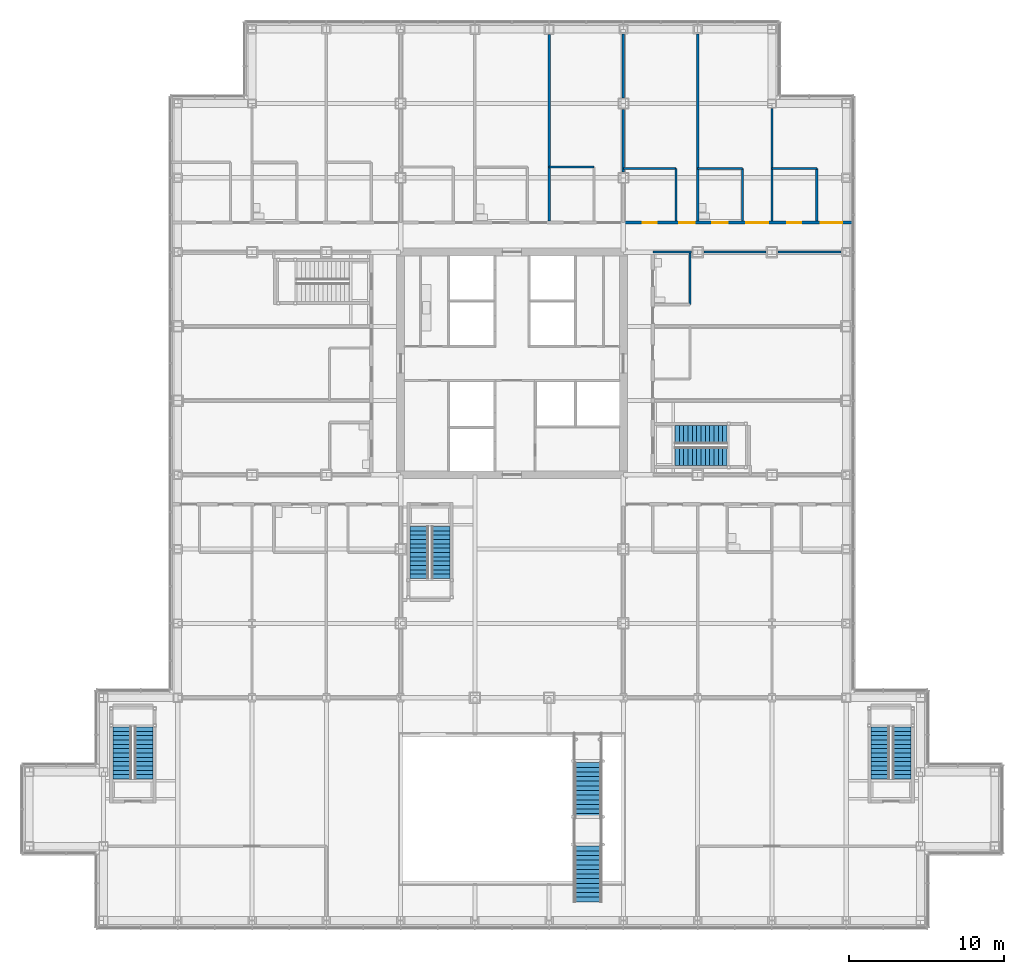
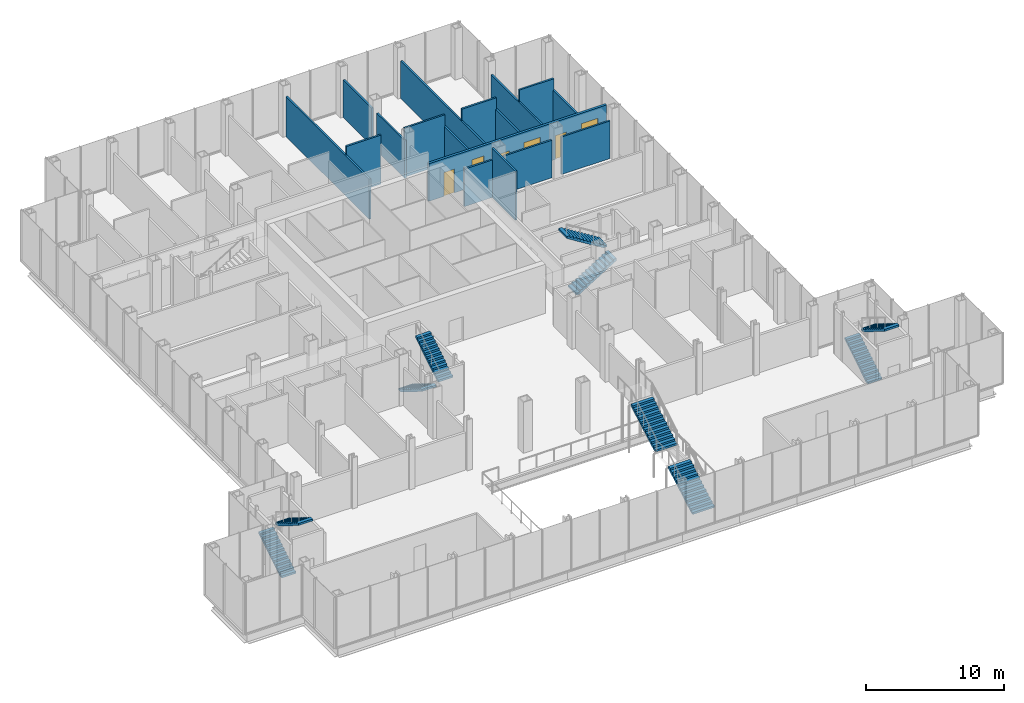
# One storey, part 23 of 28: 17 walls, 10 stair flights, 6 doors, 6 openings, 5 elements without a shape of their own.
"""IFC4 building model written with IfcOpenShell, lengths in metres."""

import ifcopenshell
import ifcopenshell.guid

model = None  # the IFC model being written
_history = None  # IfcOwnerHistory: only IFC2X3 demands one
_inside = {}  # id of a spatial element -> (the spatial element, [elements in it])
_under = {}  # id of a project, library or spatial element -> (it, [spatial elements below it])
_declared = {}  # id of a project -> (the project, [libraries it declares])
_typed = {}  # id of a type object -> (the type object, [elements of that type])
_made_of = {}  # id of a material, layer set ... -> (it, [elements and type objects made of it])


def new_model(schema):
    """Start an empty IFC model of exactly this schema.

    Asked for "IFC4X3", IfcOpenShell would pick the latest addendum, in which some entities
    have other attributes; the version numbers below select the first issue.
    IFC2X3 requires an IfcOwnerHistory on every rooted entity: one is made here for all.
    """
    global model, _history
    if schema == "IFC4X3":
        model = ifcopenshell.file(schema_version=(4, 3, 0, 0))
    else:
        model = ifcopenshell.file(schema=schema)
    _inside.clear()
    _under.clear()
    _declared.clear()
    _typed.clear()
    _made_of.clear()
    _history = None
    if model.schema == "IFC2X3":
        org = make("IfcOrganization", Name="unknown")
        user = make(
            "IfcPersonAndOrganization",
            ThePerson=make("IfcPerson", FamilyName="unknown"),
            TheOrganization=org,
        )
        app = make(
            "IfcApplication",
            ApplicationDeveloper=org,
            Version="unknown",
            ApplicationFullName="unknown",
            ApplicationIdentifier="unknown",
        )
        _history = make(
            "IfcOwnerHistory",
            OwningUser=user,
            OwningApplication=app,
            ChangeAction="ADDED",
            CreationDate=0,
        )
    return model


def make(cls, **values):
    """One entity of the class cls with the attributes given. An attribute that is None is left unset."""
    return model.create_entity(
        cls, **{name: value for name, value in values.items() if value is not None}
    )


def rooted(cls, **values):
    """An entity with a GlobalId (a new one), such as an element, a storey or a relation."""
    return make(cls, GlobalId=ifcopenshell.guid.new(), OwnerHistory=_history, **values)


def si_unit(unit_type, name, prefix=None):
    """IfcSIUnit, for example si_unit("LENGTHUNIT", "METRE", prefix="MILLI")."""
    return make("IfcSIUnit", UnitType=unit_type, Prefix=prefix, Name=name)


def assignment(units):
    """IfcUnitAssignment: the units of a project."""
    return None if units is None else make("IfcUnitAssignment", Units=units)


def point(xyz):
    """IfcCartesianPoint."""
    return None if xyz is None else make("IfcCartesianPoint", Coordinates=xyz)


def direction(xyz):
    """IfcDirection."""
    return None if xyz is None else make("IfcDirection", DirectionRatios=xyz)


def frame(location, z_axis=None, x_axis=None):
    """IfcAxis2Placement3D, a coordinate frame: its origin and axes. An axis left out is left unset."""
    return make(
        "IfcAxis2Placement3D",
        Location=point(location),
        Axis=direction(z_axis),
        RefDirection=direction(x_axis),
    )


def frame_2d(location, x_axis=None):
    """IfcAxis2Placement2D, a coordinate frame in the plane: its origin and x axis."""
    return make(
        "IfcAxis2Placement2D", Location=point(location), RefDirection=direction(x_axis)
    )


def origin():
    """The frame at (0, 0, 0) with its axes left unset."""
    return frame((0.0, 0.0, 0.0))


def place(relative_to, where):
    """IfcLocalPlacement: puts the frame where relative to a parent placement (None: the world)."""
    return make(
        "IfcLocalPlacement", PlacementRelTo=relative_to, RelativePlacement=where
    )


def context(
    kind, dimensions, precision=None, world=None, true_north=None, identifier=None
):
    """IfcGeometricRepresentationContext, for example the 3D "Model" context."""
    return make(
        "IfcGeometricRepresentationContext",
        ContextIdentifier=identifier,
        ContextType=kind,
        CoordinateSpaceDimension=dimensions,
        Precision=precision,
        WorldCoordinateSystem=world,
        TrueNorth=true_north,
    )


def subcontext(parent, identifier, kind, view, scale=None):
    """IfcGeometricRepresentationSubContext, for example "Body" below "Model"."""
    return make(
        "IfcGeometricRepresentationSubContext",
        ContextIdentifier=identifier,
        ContextType=kind,
        ParentContext=parent,
        TargetScale=scale,
        TargetView=view,
    )


def project(units=None, contexts=None):
    """IfcProject with its units and contexts."""
    return rooted(
        "IfcProject",
        Name="project",
        RepresentationContexts=contexts,
        UnitsInContext=assignment(units),
    )


def spatial(cls, under=None, at=None, **own):
    """A site, building, storey or space (cls), placed at a placement, below another one or the project."""
    s = rooted(cls, ObjectPlacement=at, **own)
    if under is not None:
        _under.setdefault(under.id(), (under, []))[1].append(s)
    return s


def polyline(points):
    """IfcPolyline through the points."""
    return make("IfcPolyline", Points=[point(p) for p in points])


def profile(cls, at=None, kind="AREA", **sizes):
    """A parametric profile (cls). Its sizes go by their IFC names, for example OverallWidth=200.0."""
    return make(cls, ProfileType=kind, Position=at, **sizes)


def rectangle(**sizes):
    """IfcRectangleProfileDef."""
    return profile("IfcRectangleProfileDef", **sizes)


def outline(outer, holes=None, kind="AREA"):
    """IfcArbitraryClosedProfileDef: a profile drawn as a closed curve; with holes, ...WithVoids."""
    if holes is None:
        return make("IfcArbitraryClosedProfileDef", ProfileType=kind, OuterCurve=outer)
    return make(
        "IfcArbitraryProfileDefWithVoids",
        ProfileType=kind,
        OuterCurve=outer,
        InnerCurves=holes,
    )


def extrude(swept, where, along, depth):
    """IfcExtrudedAreaSolid: the profile swept, set in the frame where, extruded along a direction by depth."""
    return make(
        "IfcExtrudedAreaSolid",
        SweptArea=swept,
        Position=where,
        ExtrudedDirection=direction(along),
        Depth=depth,
    )


def shape(context_of_items, identifier, shape_type, items):
    """IfcShapeRepresentation: the items that make up one representation, for example the "Body"."""
    return make(
        "IfcShapeRepresentation",
        ContextOfItems=context_of_items,
        RepresentationIdentifier=identifier,
        RepresentationType=shape_type,
        Items=items,
    )


def material(Name=None, Category=None):
    """IfcMaterial."""
    return make("IfcMaterial", Name=Name, Category=Category)


def layer(
    of_material, thickness, ventilated=None, Name=None, Category=None, Priority=None
):
    """IfcMaterialLayer: one layer of a wall or slab, of a material (None: an air gap)."""
    return make(
        "IfcMaterialLayer",
        Material=of_material,
        LayerThickness=thickness,
        IsVentilated=ventilated,
        Name=Name,
        Category=Category,
        Priority=Priority,
    )


def layer_set(layers, Name=None):
    """IfcMaterialLayerSet."""
    return make("IfcMaterialLayerSet", MaterialLayers=layers, LayerSetName=Name)


def made_of(thing, what):
    """Note that an element or type object is made of a material, layer set ...; save() writes the relation."""
    if what is not None:
        _made_of.setdefault(what.id(), (what, []))[1].append(thing)
    return thing


def type_object(cls, material=None, **own):
    """A type object (cls), such as IfcWallType, which elements share."""
    return made_of(rooted(cls, **own), material)


def element(
    cls,
    number,
    at=None,
    inside=None,
    cuts=None,
    type_object=None,
    material=None,
    context=None,
    identifier="Body",
    shape_type=None,
    held_by="IfcProductDefinitionShape",
    body=None,
    shapes=None,
    **own,
):
    """One element of the class cls, such as IfcWall. Its Tag is "e" and its number.

    at: its placement. inside: the storey or other place that contains it. cuts: it is an
    opening in that element (IfcRelVoidsElement). A single representation is given by context,
    identifier, shape_type and body (its items); several are given by shapes. held_by: the class
    of the entity that holds the representations. save() writes the other relations.
    """
    e = rooted(cls, Tag="e%d" % number, ObjectPlacement=at, **own)
    if body is not None:
        shapes = [shape(context, identifier, shape_type, body)]
    if shapes is not None:
        e.Representation = make(held_by, Representations=shapes)
    if inside is not None:
        _inside.setdefault(inside.id(), (inside, []))[1].append(e)
    if cuts is not None:
        rooted(
            "IfcRelVoidsElement", RelatingBuildingElement=cuts, RelatedOpeningElement=e
        )
    if type_object is not None:
        _typed.setdefault(type_object.id(), (type_object, []))[1].append(e)
    return made_of(e, material)


def fill(opening, filler):
    """IfcRelFillsElement: the door or window that sits in an opening."""
    return rooted(
        "IfcRelFillsElement",
        RelatingOpeningElement=opening,
        RelatedBuildingElement=filler,
    )


def aggregate(whole, parts):
    """IfcRelAggregates: a whole, such as a stair, and the parts it consists of."""
    return rooted("IfcRelAggregates", RelatingObject=whole, RelatedObjects=parts)


def save(model, path):
    """Write the relations noted so far, then the file.

    IfcRelAggregates (storeys below a building ...), IfcRelContainedInSpatialStructure (elements
    in a storey), IfcRelDefinesByType, IfcRelAssociatesMaterial and IfcRelDeclares: one each for
    every whole, place, type object, material and project.
    """
    for whole, parts in _under.values():
        aggregate(whole, parts)
    for where, things in _inside.values():
        rooted(
            "IfcRelContainedInSpatialStructure",
            RelatedElements=things,
            RelatingStructure=where,
        )
    for kind, things in _typed.values():
        rooted("IfcRelDefinesByType", RelatedObjects=things, RelatingType=kind)
    for what, things in _made_of.values():
        rooted("IfcRelAssociatesMaterial", RelatedObjects=things, RelatingMaterial=what)
    for by, libraries in _declared.values():
        rooted("IfcRelDeclares", RelatingContext=by, RelatedDefinitions=libraries)
    model.write(path)


model = new_model("IFC4")

# Units and contexts
model_context = context("Model", 3, precision=1e-05, world=origin(), true_north=direction((0.0, 1.0)))
body_context = subcontext(model_context, "Body", "Model", "MODEL_VIEW")
ifc_project = project(units=[si_unit("LENGTHUNIT", "METRE"), si_unit("AREAUNIT", "SQUARE_METRE"), si_unit("VOLUMEUNIT", "CUBIC_METRE"), si_unit("PLANEANGLEUNIT", "RADIAN"), si_unit("MASSUNIT", "GRAM", prefix="KILO")], contexts=[model_context])

# Site, building, storey
site_placement = place(None, origin())
site = spatial("IfcSite", under=ifc_project, at=site_placement, CompositionType="ELEMENT")
building_placement = place(site_placement, origin())
building = spatial("IfcBuilding", under=site, at=building_placement, Name="Kvirike Care Tower", CompositionType="ELEMENT")
storey_placement = place(building_placement, frame((0.0, 0.0, 4.5)))
storey = spatial("IfcBuildingStorey", under=building, at=storey_placement, Name="L01", CompositionType="ELEMENT", Elevation=4.5)

# Walls
ifc_material_1 = material(Name="Plasterboard partition", Category="gypsum")
ifc_layer_1 = layer(ifc_material_1, 0.14990234375)
ifc_layer_set_1 = layer_set([ifc_layer_1], Name="CLINIC PARTITION 150")
wall_type_1 = type_object("IfcWallType", Name="CLINIC PARTITION 150", PredefinedType="PARTITIONING", material=ifc_layer_set_1)
wall_1_placement = place(storey_placement, frame((26.89990234375, 48.699951171875, 0.0), z_axis=(0.0, 0.0, 1.0), x_axis=(-1.0, 0.0, 0.0)))
element("IfcWall", 1, at=wall_1_placement, inside=storey, type_object=wall_type_1, Name="Clinic Partition 150 L01", PredefinedType="PARTITIONING", context=body_context, shape_type="SweptSolid", body=[
    extrude(rectangle(XDim=2.89990234375, YDim=0.14990234375, at=frame_2d((1.449951171875, 0.0))), origin(), (0.0, 0.0, 1.0), 4.330078125),
])
wall_2_placement = place(storey_placement, frame((24.0, 57.2548828125, 0.0), z_axis=(0.0, 0.0, 1.0), x_axis=(0.0, -1.0, 0.0)))
element("IfcWall", 2, at=wall_2_placement, inside=storey, type_object=wall_type_1, Name="Clinic Partition 150 L01", PredefinedType="PARTITIONING", context=body_context, shape_type="SweptSolid", body=[
    extrude(rectangle(XDim=12.054931640625, YDim=0.14990234375, at=frame_2d((6.02734375, 0.0))), origin(), (0.0, 0.0, 1.0), 3.550048828125),
])
wall_3_placement = place(storey_placement, frame((33.10009765625, 39.800048828125, 0.0), z_axis=(0.0, 0.0, 1.0), x_axis=(0.0, 1.0, 0.0)))
element("IfcWall", 3, at=wall_3_placement, inside=storey, type_object=wall_type_1, Name="Clinic Partition 150 L01", PredefinedType="PARTITIONING", context=body_context, shape_type="SweptSolid", body=[
    extrude(rectangle(XDim=3.39990234375, YDim=0.14990234375, at=frame_2d((1.699951171875, 0.0))), origin(), (0.0, 0.0, 1.0), 4.330078125),
])
wall_4_placement = place(storey_placement, frame((41.300048828125, 48.60009765625, 0.0), z_axis=(0.0, 0.0, 1.0), x_axis=(0.0, -1.0, 0.0)))
element("IfcWall", 4, at=wall_4_placement, inside=storey, type_object=wall_type_1, Name="Clinic Partition 150 L01", PredefinedType="PARTITIONING", context=body_context, shape_type="SweptSolid", body=[
    extrude(rectangle(XDim=3.400146484375, YDim=0.14990234375, at=frame_2d((1.7001953125, 0.0))), origin(), (0.0, 0.0, 1.0), 3.320068359375),
])
wall_5_placement = place(storey_placement, frame((41.300048828125, 48.60009765625, 0.0), z_axis=(0.0, 0.0, 1.0), x_axis=(-1.0, 0.0, 0.0)))
element("IfcWall", 5, at=wall_5_placement, inside=storey, type_object=wall_type_1, Name="Clinic Partition 150 L01", PredefinedType="PARTITIONING", context=body_context, shape_type="SweptSolid", body=[
    extrude(rectangle(XDim=2.900146484375, YDim=0.14990234375, at=frame_2d((1.4501953125, 0.0))), origin(), (0.0, 0.0, 1.0), 4.330078125),
])
wall_6_placement = place(storey_placement, frame((36.5, 48.60009765625, 0.0), z_axis=(0.0, 0.0, 1.0), x_axis=(0.0, -1.0, 0.0)))
element("IfcWall", 6, at=wall_6_placement, inside=storey, type_object=wall_type_1, Name="Clinic Partition 150 L01", PredefinedType="PARTITIONING", context=body_context, shape_type="SweptSolid", body=[
    extrude(rectangle(XDim=3.400146484375, YDim=0.14990234375, at=frame_2d((1.7001953125, 0.0))), origin(), (0.0, 0.0, 1.0), 3.320068359375),
])
wall_7_placement = place(storey_placement, frame((36.5, 48.60009765625, 0.0), z_axis=(0.0, 0.0, 1.0), x_axis=(-1.0, 0.0, 0.0)))
element("IfcWall", 7, at=wall_7_placement, inside=storey, type_object=wall_type_1, Name="Clinic Partition 150 L01", PredefinedType="PARTITIONING", context=body_context, shape_type="SweptSolid", body=[
    extrude(rectangle(XDim=2.89990234375, YDim=0.14990234375, at=frame_2d((1.449951171875, 0.0))), origin(), (0.0, 0.0, 1.0), 4.330078125),
])
wall_8_placement = place(storey_placement, frame((32.199951171875, 48.60009765625, 0.0), z_axis=(0.0, 0.0, 1.0), x_axis=(0.0, -1.0, 0.0)))
element("IfcWall", 8, at=wall_8_placement, inside=storey, type_object=wall_type_1, Name="Clinic Partition 150 L01", PredefinedType="PARTITIONING", context=body_context, shape_type="SweptSolid", body=[
    extrude(rectangle(XDim=3.400146484375, YDim=0.14990234375, at=frame_2d((1.7001953125, 0.0))), origin(), (0.0, 0.0, 1.0), 3.320068359375),
])
wall_9_placement = place(storey_placement, frame((32.199951171875, 48.60009765625, 0.0), z_axis=(0.0, 0.0, 1.0), x_axis=(-1.0, 0.0, 0.0)))
element("IfcWall", 9, at=wall_9_placement, inside=storey, type_object=wall_type_1, Name="Clinic Partition 150 L01", PredefinedType="PARTITIONING", context=body_context, shape_type="SweptSolid", body=[
    extrude(rectangle(XDim=3.39990234375, YDim=0.14990234375, at=frame_2d((1.699951171875, 0.0))), origin(), (0.0, 0.0, 1.0), 4.330078125),
])
wall_10_placement = place(storey_placement, frame((38.39990234375, 52.47998046875, 0.0), z_axis=(0.0, 0.0, 1.0), x_axis=(0.0, -1.0, 0.0)))
element("IfcWall", 10, at=wall_10_placement, inside=storey, type_object=wall_type_1, Name="Clinic Partition 150 L01", PredefinedType="PARTITIONING", context=body_context, shape_type="SweptSolid", body=[
    extrude(rectangle(XDim=7.280029296875, YDim=0.14990234375, at=frame_2d((3.64013671875, 0.0))), origin(), (0.0, 0.0, 1.0), 3.320068359375),
])
wall_11_placement = place(storey_placement, frame((33.60009765625, 57.280029296875, 0.0), z_axis=(0.0, 0.0, 1.0), x_axis=(0.0, -1.0, 0.0)))
element("IfcWall", 11, at=wall_11_placement, inside=storey, type_object=wall_type_1, Name="Clinic Partition 150 L01", PredefinedType="PARTITIONING", context=body_context, shape_type="SweptSolid", body=[
    extrude(rectangle(XDim=12.080078125, YDim=0.14990234375, at=frame_2d((6.0400390625, 0.0))), origin(), (0.0, 0.0, 1.0), 3.320068359375),
])
wall_12_placement = place(storey_placement, frame((28.800048828125, 48.3701171875, 0.0), z_axis=(0.0, 0.0, 1.0), x_axis=(0.0, 1.0, 0.0)))
element("IfcWall", 12, at=wall_12_placement, inside=storey, type_object=wall_type_1, Name="Clinic Partition 150 L01", PredefinedType="PARTITIONING", context=body_context, shape_type="SweptSolid", body=[
    extrude(rectangle(XDim=4.059814453125, YDim=0.14990234375, at=frame_2d((2.02978515625, 0.0))), origin(), (0.0, 0.0, 1.0), 3.320068359375),
])
wall_13_placement = place(storey_placement, frame((28.800048828125, 53.169921875, 0.0), z_axis=(0.0, 0.0, 1.0), x_axis=(0.0, 1.0, 0.0)))
element("IfcWall", 13, at=wall_13_placement, inside=storey, type_object=wall_type_1, Name="Clinic Partition 150 L01", PredefinedType="PARTITIONING", context=body_context, shape_type="SweptSolid", body=[
    extrude(rectangle(XDim=4.110107421875, YDim=0.14990234375, at=frame_2d((2.05517578125, 0.0))), origin(), (0.0, 0.0, 1.0), 3.320068359375),
])
wall_14_placement = place(storey_placement, frame((42.8798828125, 43.199951171875, 0.0), z_axis=(0.0, 0.0, 1.0), x_axis=(-1.0, 0.0, 0.0)))
element("IfcWall", 14, at=wall_14_placement, inside=storey, type_object=wall_type_1, Name="Clinic Partition 150 L01", PredefinedType="PARTITIONING", context=body_context, shape_type="SweptSolid", body=[
    extrude(rectangle(XDim=4.0849609375, YDim=0.14990234375, at=frame_2d((2.04248046875, 0.0))), origin(), (0.0, 0.0, 1.0), 3.320068359375),
])
wall_15_placement = place(storey_placement, frame((38.0048828125, 43.199951171875, 0.0), z_axis=(0.0, 0.0, 1.0), x_axis=(-1.0, 0.0, 0.0)))
element("IfcWall", 15, at=wall_15_placement, inside=storey, type_object=wall_type_1, Name="Clinic Partition 150 L01", PredefinedType="PARTITIONING", context=body_context, shape_type="SweptSolid", body=[
    extrude(rectangle(XDim=4.009765625, YDim=0.14990234375, at=frame_2d((2.0048828125, 0.0))), origin(), (0.0, 0.0, 1.0), 3.320068359375),
])
wall_16_placement = place(storey_placement, frame((33.205078125, 43.199951171875, 0.0), z_axis=(0.0, 0.0, 1.0), x_axis=(-1.0, 0.0, 0.0)))
element("IfcWall", 16, at=wall_16_placement, inside=storey, type_object=wall_type_1, Name="Clinic Partition 150 L01", PredefinedType="PARTITIONING", context=body_context, shape_type="SweptSolid", body=[
    extrude(rectangle(XDim=2.505126953125, YDim=0.14990234375, at=frame_2d((1.25244140625, 0.0))), origin(), (0.0, 0.0, 1.0), 3.320068359375),
])

# Wall, openings, doors
ifc_material_2 = material(Name="Plasterboard corridor wall", Category="gypsum")
ifc_layer_2 = layer(ifc_material_2, 0.199951171875)
ifc_layer_set_2 = layer_set([ifc_layer_2], Name="CORRIDOR WALL 200")
wall_type_2 = type_object("IfcWallType", Name="CORRIDOR WALL 200", PredefinedType="PARTITIONING", material=ifc_layer_set_2)
wall_17_placement = place(storey_placement, frame((43.655029296875, 45.10009765625, 0.0), z_axis=(0.0, 0.0, 1.0), x_axis=(-1.0, 0.0, 0.0)))
wall_17 = element("IfcWall", 17, at=wall_17_placement, inside=storey, type_object=wall_type_2, Name="Corridor Wall 200 L01", PredefinedType="PARTITIONING", context=body_context, shape_type="SweptSolid", body=[
    extrude(rectangle(XDim=14.85498046875, YDim=0.199951171875, at=frame_2d((7.427490234375, 0.0))), origin(), (0.0, 0.0, 1.0), 3.320068359375),
])
opening_1_placement = place(wall_17_placement, frame((0.705078125, 0.0, 0.0)))
opening_1 = element("IfcOpeningElement", 18, at=opening_1_placement, cuts=wall_17, Name="Opening 01-038", PredefinedType="OPENING", context=body_context, shape_type="SweptSolid", body=[
    extrude(rectangle(XDim=1.39990234375, YDim=2.39990234375, at=frame_2d((0.699951171875, 1.199951171875))), frame((0.0, 0.110595703125, 0.0), z_axis=(0.0, -1.0, 0.0), x_axis=(1.0, 0.0, 0.0)), (0.0, 0.0, 1.0), 0.220947265625),
])
opening_2_placement = place(wall_17_placement, frame((5.5048828125, 0.0, 0.0)))
opening_2 = element("IfcOpeningElement", 19, at=opening_2_placement, cuts=wall_17, Name="Opening 01-039", PredefinedType="OPENING", context=body_context, shape_type="SweptSolid", body=[
    extrude(rectangle(XDim=1.39990234375, YDim=2.39990234375, at=frame_2d((0.699951171875, 1.199951171875))), frame((0.0, 0.110595703125, 0.0), z_axis=(0.0, -1.0, 0.0), x_axis=(1.0, 0.0, 0.0)), (0.0, 0.0, 1.0), 0.220947265625),
])
opening_3_placement = place(wall_17_placement, frame((10.2548828125, 0.0, 0.0)))
opening_3 = element("IfcOpeningElement", 20, at=opening_3_placement, cuts=wall_17, Name="Opening 01-040", PredefinedType="OPENING", context=body_context, shape_type="SweptSolid", body=[
    extrude(rectangle(XDim=1.0, YDim=2.39990234375, at=frame_2d((0.5, 1.199951171875))), frame((0.0, 0.110595703125, 0.0), z_axis=(0.0, -1.0, 0.0), x_axis=(1.0, 0.0, 0.0)), (0.0, 0.0, 1.0), 0.220947265625),
])
opening_4_placement = place(wall_17_placement, frame((3.35498046875, 0.0, 0.0)))
opening_4 = element("IfcOpeningElement", 21, at=opening_4_placement, cuts=wall_17, Name="Opening 01-041", PredefinedType="OPENING", context=body_context, shape_type="SweptSolid", body=[
    extrude(rectangle(XDim=0.89990234375, YDim=2.10009765625, at=frame_2d((0.449951171875, 1.050048828125))), frame((0.0, 0.110595703125, 0.0), z_axis=(0.0, -1.0, 0.0), x_axis=(1.0, 0.0, 0.0)), (0.0, 0.0, 1.0), 0.220947265625),
])
opening_5_placement = place(wall_17_placement, frame((8.10498046875, 0.0, 0.0)))
opening_5 = element("IfcOpeningElement", 22, at=opening_5_placement, cuts=wall_17, Name="Opening 01-042", PredefinedType="OPENING", context=body_context, shape_type="SweptSolid", body=[
    extrude(rectangle(XDim=1.0, YDim=2.10009765625, at=frame_2d((0.5, 1.050048828125))), frame((0.0, 0.110595703125, 0.0), z_axis=(0.0, -1.0, 0.0), x_axis=(1.0, 0.0, 0.0)), (0.0, 0.0, 1.0), 0.220947265625),
])
opening_6_placement = place(wall_17_placement, frame((12.705078125, 0.0, 0.0)))
opening_6 = element("IfcOpeningElement", 23, at=opening_6_placement, cuts=wall_17, Name="Opening 01-043", PredefinedType="OPENING", context=body_context, shape_type="SweptSolid", body=[
    extrude(rectangle(XDim=0.89990234375, YDim=2.10009765625, at=frame_2d((0.449951171875, 1.050048828125))), frame((0.0, 0.110595703125, 0.0), z_axis=(0.0, -1.0, 0.0), x_axis=(1.0, 0.0, 0.0)), (0.0, 0.0, 1.0), 0.220947265625),
])
ifc_material_3 = material(Name="Timber door set", Category="wood")
door_type_1 = type_object("IfcDoorType", Name="CONSULTING ROOM DOOR 1000", OperationType="SINGLE_SWING_LEFT", PredefinedType="DOOR", material=ifc_material_3)
door_1_placement = place(opening_3_placement, frame((1.0, 0.0, 0.0), z_axis=(0.0, 0.0, 1.0), x_axis=(-1.0, 0.0, 0.0)))
door_1 = element("IfcDoor", 24, at=door_1_placement, inside=storey, type_object=door_type_1, Name="Imaging control room door", OperationType="SINGLE_SWING_LEFT", OverallHeight=2.39990234375, OverallWidth=1.0, PredefinedType="DOOR", context=body_context, shape_type="SweptSolid", body=[
    extrude(rectangle(XDim=1.0, YDim=2.39990234375, at=frame_2d((0.5, 1.199951171875))), frame((0.0, 0.02685546875, 0.0), z_axis=(0.0, -1.0, 0.0), x_axis=(1.0, 0.0, 0.0)), (0.0, 0.0, 1.0), 0.053955078125),
])
fill(opening_3, door_1)
ifc_material_4 = material(Name="Timber door set", Category="wood")
door_type_2 = type_object("IfcDoorType", Name="STORE DOOR 900", OperationType="SINGLE_SWING_LEFT", PredefinedType="DOOR", material=ifc_material_4)
door_2_placement = place(opening_4_placement, frame((0.89990234375, 0.0, 0.0), z_axis=(0.0, 0.0, 1.0), x_axis=(-1.0, 0.0, 0.0)))
door_2 = element("IfcDoor", 25, at=door_2_placement, inside=storey, type_object=door_type_2, Name="Store door", OperationType="SINGLE_SWING_LEFT", OverallHeight=2.10009765625, OverallWidth=0.89990234375, PredefinedType="DOOR", context=body_context, shape_type="SweptSolid", body=[
    extrude(rectangle(XDim=0.89990234375, YDim=2.10009765625, at=frame_2d((0.449951171875, 1.050048828125))), frame((0.0, 0.02685546875, 0.0), z_axis=(0.0, -1.0, 0.0), x_axis=(1.0, 0.0, 0.0)), (0.0, 0.0, 1.0), 0.053955078125),
])
fill(opening_4, door_2)
door_3_placement = place(opening_6_placement, frame((0.89990234375, 0.0, 0.0), z_axis=(0.0, 0.0, 1.0), x_axis=(-1.0, 0.0, 0.0)))
door_3 = element("IfcDoor", 26, at=door_3_placement, inside=storey, type_object=door_type_2, Name="Store door", OperationType="SINGLE_SWING_RIGHT", OverallHeight=2.10009765625, OverallWidth=0.89990234375, PredefinedType="DOOR", context=body_context, shape_type="SweptSolid", body=[
    extrude(rectangle(XDim=0.89990234375, YDim=2.10009765625, at=frame_2d((0.449951171875, 1.050048828125))), frame((0.0, 0.02685546875, 0.0), z_axis=(0.0, -1.0, 0.0), x_axis=(1.0, 0.0, 0.0)), (0.0, 0.0, 1.0), 0.053955078125),
])
fill(opening_6, door_3)
ifc_material_5 = material(Name="Timber door set", Category="wood")
door_type_3 = type_object("IfcDoorType", Name="TREATMENT ROOM DOOR 1400", OperationType="DOUBLE_DOOR_SINGLE_SWING", PredefinedType="DOOR", material=ifc_material_5)
door_4_placement = place(opening_1_placement, frame((1.39990234375, 0.0, 0.0), z_axis=(0.0, 0.0, 1.0), x_axis=(-1.0, 0.0, 0.0)))
door_4 = element("IfcDoor", 27, at=door_4_placement, inside=storey, type_object=door_type_3, Name="X-ray room door", OperationType="DOUBLE_DOOR_SINGLE_SWING", OverallHeight=2.39990234375, OverallWidth=1.39990234375, PredefinedType="DOOR", context=body_context, shape_type="SweptSolid", body=[
    extrude(rectangle(XDim=1.39990234375, YDim=2.39990234375, at=frame_2d((0.699951171875, 1.199951171875))), frame((0.0, 0.02685546875, 0.0), z_axis=(0.0, -1.0, 0.0), x_axis=(1.0, 0.0, 0.0)), (0.0, 0.0, 1.0), 0.053955078125),
])
fill(opening_1, door_4)
door_5_placement = place(opening_2_placement, frame((1.39990234375, 0.0, 0.0), z_axis=(0.0, 0.0, 1.0), x_axis=(-1.0, 0.0, 0.0)))
door_5 = element("IfcDoor", 28, at=door_5_placement, inside=storey, type_object=door_type_3, Name="Ultrasound room door", OperationType="DOUBLE_DOOR_SINGLE_SWING", OverallHeight=2.39990234375, OverallWidth=1.39990234375, PredefinedType="DOOR", context=body_context, shape_type="SweptSolid", body=[
    extrude(rectangle(XDim=1.39990234375, YDim=2.39990234375, at=frame_2d((0.699951171875, 1.199951171875))), frame((0.0, 0.02685546875, 0.0), z_axis=(0.0, -1.0, 0.0), x_axis=(1.0, 0.0, 0.0)), (0.0, 0.0, 1.0), 0.053955078125),
])
fill(opening_2, door_5)
ifc_material_6 = material(Name="Timber door set", Category="wood")
door_type_4 = type_object("IfcDoorType", Name="WC DOOR 1000", OperationType="SINGLE_SWING_LEFT", PredefinedType="DOOR", material=ifc_material_6)
door_6_placement = place(opening_5_placement, frame((1.0, 0.0, 0.0), z_axis=(0.0, 0.0, 1.0), x_axis=(-1.0, 0.0, 0.0)))
door_6 = element("IfcDoor", 29, at=door_6_placement, inside=storey, type_object=door_type_4, Name="Staff WC door", OperationType="SINGLE_SWING_RIGHT", OverallHeight=2.10009765625, OverallWidth=1.0, PredefinedType="DOOR", context=body_context, shape_type="SweptSolid", body=[
    extrude(rectangle(XDim=1.0, YDim=2.10009765625, at=frame_2d((0.5, 1.050048828125))), frame((0.0, 0.02685546875, 0.0), z_axis=(0.0, -1.0, 0.0), x_axis=(1.0, 0.0, 0.0)), (0.0, 0.0, 1.0), 0.053955078125),
])
fill(opening_5, door_6)

# Stair, stair flights
ifc_material_7 = material(Name="Steel S355 stringer stair with steel-pan treads", Category="steel")
stair_type_1 = type_object("IfcStairType", Name="ATRIUM FEATURE STAIR 26 RISERS", PredefinedType="TWO_STRAIGHT_RUN_STAIR", material=ifc_material_7)
stair_1_placement = place(storey_placement, origin())
stair_1 = element("IfcStair", 30, at=stair_1_placement, inside=storey, type_object=stair_type_1, Name="Atrium feature stair FB L01 to L02", PredefinedType="TWO_STRAIGHT_RUN_STAIR")
ifc_material_8 = material(Name="Steel S355 stringer flight with steel-pan treads", Category="steel")
stair_flight_type_1 = type_object("IfcStairFlightType", Name="FEATURE FLIGHT 13 RISERS", PredefinedType="STRAIGHT", material=ifc_material_8)
stair_flight_1_placement = place(storey_placement, frame((26.5, 1.199951171875, 0.0), z_axis=(0.0, 0.0, 1.0), x_axis=(0.0, 1.0, 0.0)))
stair_flight_1 = element("IfcStairFlight", 31, at=stair_flight_1_placement, type_object=stair_flight_type_1, Name="FB flight 1", NumberOfRisers=13, NumberOfTreads=12, PredefinedType="STRAIGHT", RiserHeight=0.173076923, TreadLength=0.3, context=body_context, shape_type="SweptSolid", body=[
    extrude(outline(polyline([(0.0, 0.0), (0.0, 0.173095703125), (0.300048828125, 0.173095703125), (0.300048828125, 0.34619140625), (0.60009765625, 0.34619140625), (0.60009765625, 0.519287109375), (0.89990234375, 0.519287109375), (0.89990234375, 0.6923828125), (1.199951171875, 0.6923828125), (1.199951171875, 0.865478515625), (1.5, 0.865478515625), (1.5, 1.03857421875), (1.800048828125, 1.03857421875), (1.800048828125, 1.21142578125), (2.10009765625, 1.21142578125), (2.10009765625, 1.384521484375), (2.39990234375, 1.384521484375), (2.39990234375, 1.5576171875), (2.699951171875, 1.5576171875), (2.699951171875, 1.730712890625), (3.0, 1.730712890625), (3.0, 1.90380859375), (3.300048828125, 1.90380859375), (3.300048828125, 2.076904296875), (3.60009765625, 2.076904296875), (3.60009765625, 2.25), (3.60009765625, 1.90380859375), (0.300048828125, 0.0), (0.0, 0.0)])), frame((0.0, 0.89990234375, 0.0), z_axis=(0.0, -1.0, 0.0), x_axis=(1.0, 0.0, 0.0)), (0.0, 0.0, 1.0), 1.800048828125),
])
stair_flight_2_placement = place(storey_placement, frame((26.5, 6.60009765625, 2.25), z_axis=(0.0, 0.0, 1.0), x_axis=(0.0, 1.0, 0.0)))
stair_flight_2 = element("IfcStairFlight", 32, at=stair_flight_2_placement, type_object=stair_flight_type_1, Name="FB flight 2", NumberOfRisers=13, NumberOfTreads=12, PredefinedType="STRAIGHT", RiserHeight=0.173076923, TreadLength=0.3, context=body_context, shape_type="SweptSolid", body=[
    extrude(outline(polyline([(0.0, 0.0), (0.0, 0.173095703125), (0.300048828125, 0.173095703125), (0.300048828125, 0.34619140625), (0.60009765625, 0.34619140625), (0.60009765625, 0.519287109375), (0.89990234375, 0.519287109375), (0.89990234375, 0.6923828125), (1.199951171875, 0.6923828125), (1.199951171875, 0.865478515625), (1.5, 0.865478515625), (1.5, 1.03857421875), (1.800048828125, 1.03857421875), (1.800048828125, 1.21142578125), (2.10009765625, 1.21142578125), (2.10009765625, 1.384521484375), (2.39990234375, 1.384521484375), (2.39990234375, 1.5576171875), (2.699951171875, 1.5576171875), (2.699951171875, 1.730712890625), (3.0, 1.730712890625), (3.0, 1.90380859375), (3.300048828125, 1.90380859375), (3.300048828125, 2.076904296875), (3.60009765625, 2.076904296875), (3.60009765625, 2.25), (3.60009765625, 1.90380859375), (0.300048828125, 0.0), (0.0, 0.0)])), frame((0.0, 0.89990234375, 0.0), z_axis=(0.0, -1.0, 0.0), x_axis=(1.0, 0.0, 0.0)), (0.0, 0.0, 1.0), 1.800048828125),
])
aggregate(stair_1, [stair_flight_1, stair_flight_2])

ifc_material_9 = material(Name="Concrete C35/45", Category="concrete")
stair_type_2 = type_object("IfcStairType", Name="STAIR 26 RISERS", PredefinedType="HALF_TURN_STAIR", material=ifc_material_9)
stair_2_placement = place(storey_placement, origin())
stair_2 = element("IfcStair", 33, at=stair_2_placement, inside=storey, type_object=stair_type_2, Name="Stair 2 L01", PredefinedType="HALF_TURN_STAIR")
ifc_material_10 = material(Name="Concrete C35/45", Category="concrete")
stair_flight_type_2 = type_object("IfcStairFlightType", Name="FLIGHT 13 RISERS", PredefinedType="STRAIGHT", material=ifc_material_10)
stair_flight_3_placement = place(storey_placement, frame((32.139892578125, 30.0, 0.0), z_axis=(0.0, 0.0, 1.0), x_axis=(1.0, 0.0, 0.0)))
stair_flight_3 = element("IfcStairFlight", 34, at=stair_flight_3_placement, type_object=stair_flight_type_2, Name="Stair S2 flight 1 L01-L02", NumberOfRisers=13, NumberOfTreads=12, PredefinedType="STRAIGHT", RiserHeight=0.173076923, TreadLength=0.28, context=body_context, shape_type="SweptSolid", body=[
    extrude(outline(polyline([(0.0, 0.0), (0.0, 0.173095703125), (0.280029296875, 0.173095703125), (0.280029296875, 0.34619140625), (0.56005859375, 0.34619140625), (0.56005859375, 0.519287109375), (0.840087890625, 0.519287109375), (0.840087890625, 0.6923828125), (1.1201171875, 0.6923828125), (1.1201171875, 0.865478515625), (1.39990234375, 0.865478515625), (1.39990234375, 1.03857421875), (1.679931640625, 1.03857421875), (1.679931640625, 1.21142578125), (1.9599609375, 1.21142578125), (1.9599609375, 1.384521484375), (2.239990234375, 1.384521484375), (2.239990234375, 1.5576171875), (2.52001953125, 1.5576171875), (2.52001953125, 1.730712890625), (2.800048828125, 1.730712890625), (2.800048828125, 1.90380859375), (3.080078125, 1.90380859375), (3.080078125, 2.076904296875), (3.360107421875, 2.076904296875), (3.360107421875, 2.25), (3.360107421875, 1.900634765625), (0.28515625, 0.0), (0.0, 0.0)])), frame((0.0, 0.60009765625, 0.0), z_axis=(0.0, -1.0, 0.0), x_axis=(1.0, 0.0, 0.0)), (0.0, 0.0, 1.0), 1.199951171875),
])
stair_flight_4_placement = place(storey_placement, frame((35.5, 31.39990234375, 2.25), z_axis=(0.0, 0.0, 1.0), x_axis=(-1.0, 0.0, 0.0)))
stair_flight_4 = element("IfcStairFlight", 35, at=stair_flight_4_placement, type_object=stair_flight_type_2, Name="Stair S2 flight 2 L01-L02", NumberOfRisers=13, NumberOfTreads=12, PredefinedType="STRAIGHT", RiserHeight=0.173076923, TreadLength=0.28, context=body_context, shape_type="SweptSolid", body=[
    extrude(outline(polyline([(0.0, 0.0), (0.0, 0.173095703125), (0.280029296875, 0.173095703125), (0.280029296875, 0.34619140625), (0.56005859375, 0.34619140625), (0.56005859375, 0.519287109375), (0.840087890625, 0.519287109375), (0.840087890625, 0.6923828125), (1.1201171875, 0.6923828125), (1.1201171875, 0.865478515625), (1.39990234375, 0.865478515625), (1.39990234375, 1.03857421875), (1.679931640625, 1.03857421875), (1.679931640625, 1.21142578125), (1.9599609375, 1.21142578125), (1.9599609375, 1.384521484375), (2.239990234375, 1.384521484375), (2.239990234375, 1.5576171875), (2.52001953125, 1.5576171875), (2.52001953125, 1.730712890625), (2.800048828125, 1.730712890625), (2.800048828125, 1.90380859375), (3.080078125, 1.90380859375), (3.080078125, 2.076904296875), (3.360107421875, 2.076904296875), (3.360107421875, 2.25), (3.360107421875, 1.900634765625), (0.28515625, 0.0), (0.0, 0.0)])), frame((0.0, 0.60009765625, 0.0), z_axis=(0.0, -1.0, 0.0), x_axis=(1.0, 0.0, 0.0)), (0.0, 0.0, 1.0), 1.199951171875),
])
aggregate(stair_2, [stair_flight_3, stair_flight_4])

stair_3_placement = place(storey_placement, origin())
stair_3 = element("IfcStair", 36, at=stair_3_placement, inside=storey, type_object=stair_type_2, Name="Stair 3 L01", PredefinedType="HALF_TURN_STAIR")
stair_flight_5_placement = place(storey_placement, frame((-3.60009765625, 9.139892578125, 0.0), z_axis=(0.0, 0.0, 1.0), x_axis=(0.0, 1.0, 0.0)))
stair_flight_5 = element("IfcStairFlight", 37, at=stair_flight_5_placement, type_object=stair_flight_type_2, Name="Stair S3 flight 1 L01-L02", NumberOfRisers=13, NumberOfTreads=12, PredefinedType="STRAIGHT", RiserHeight=0.173076923, TreadLength=0.28, context=body_context, shape_type="SweptSolid", body=[
    extrude(outline(polyline([(0.0, 0.0), (0.0, 0.173095703125), (0.280029296875, 0.173095703125), (0.280029296875, 0.34619140625), (0.56005859375, 0.34619140625), (0.56005859375, 0.519287109375), (0.840087890625, 0.519287109375), (0.840087890625, 0.6923828125), (1.1201171875, 0.6923828125), (1.1201171875, 0.865478515625), (1.39990234375, 0.865478515625), (1.39990234375, 1.03857421875), (1.679931640625, 1.03857421875), (1.679931640625, 1.21142578125), (1.9599609375, 1.21142578125), (1.9599609375, 1.384521484375), (2.239990234375, 1.384521484375), (2.239990234375, 1.5576171875), (2.52001953125, 1.5576171875), (2.52001953125, 1.730712890625), (2.800048828125, 1.730712890625), (2.800048828125, 1.90380859375), (3.080078125, 1.90380859375), (3.080078125, 2.076904296875), (3.360107421875, 2.076904296875), (3.360107421875, 2.25), (3.360107421875, 1.900634765625), (0.28515625, 0.0), (0.0, 0.0)])), frame((0.0, 0.60009765625, 0.0), z_axis=(0.0, -1.0, 0.0), x_axis=(1.0, 0.0, 0.0)), (0.0, 0.0, 1.0), 1.199951171875),
])
stair_flight_6_placement = place(storey_placement, frame((-2.199951171875, 12.5, 2.25), z_axis=(0.0, 0.0, 1.0), x_axis=(0.0, -1.0, 0.0)))
stair_flight_6 = element("IfcStairFlight", 38, at=stair_flight_6_placement, type_object=stair_flight_type_2, Name="Stair S3 flight 2 L01-L02", NumberOfRisers=13, NumberOfTreads=12, PredefinedType="STRAIGHT", RiserHeight=0.173076923, TreadLength=0.28, context=body_context, shape_type="SweptSolid", body=[
    extrude(outline(polyline([(0.0, 0.0), (0.0, 0.173095703125), (0.280029296875, 0.173095703125), (0.280029296875, 0.34619140625), (0.56005859375, 0.34619140625), (0.56005859375, 0.519287109375), (0.840087890625, 0.519287109375), (0.840087890625, 0.6923828125), (1.1201171875, 0.6923828125), (1.1201171875, 0.865478515625), (1.39990234375, 0.865478515625), (1.39990234375, 1.03857421875), (1.679931640625, 1.03857421875), (1.679931640625, 1.21142578125), (1.9599609375, 1.21142578125), (1.9599609375, 1.384521484375), (2.239990234375, 1.384521484375), (2.239990234375, 1.5576171875), (2.52001953125, 1.5576171875), (2.52001953125, 1.730712890625), (2.800048828125, 1.730712890625), (2.800048828125, 1.90380859375), (3.080078125, 1.90380859375), (3.080078125, 2.076904296875), (3.360107421875, 2.076904296875), (3.360107421875, 2.25), (3.360107421875, 1.900634765625), (0.28515625, 0.0), (0.0, 0.0)])), frame((0.0, 0.60009765625, 0.0), z_axis=(0.0, -1.0, 0.0), x_axis=(1.0, 0.0, 0.0)), (0.0, 0.0, 1.0), 1.199951171875),
])
aggregate(stair_3, [stair_flight_5, stair_flight_6])

stair_4_placement = place(storey_placement, origin())
stair_4 = element("IfcStair", 39, at=stair_4_placement, inside=storey, type_object=stair_type_2, Name="Stair 4 L01", PredefinedType="HALF_TURN_STAIR")
stair_flight_7_placement = place(storey_placement, frame((45.39990234375, 9.139892578125, 0.0), z_axis=(0.0, 0.0, 1.0), x_axis=(0.0, 1.0, 0.0)))
stair_flight_7 = element("IfcStairFlight", 40, at=stair_flight_7_placement, type_object=stair_flight_type_2, Name="Stair S4 flight 1 L01-L02", NumberOfRisers=13, NumberOfTreads=12, PredefinedType="STRAIGHT", RiserHeight=0.173076923, TreadLength=0.28, context=body_context, shape_type="SweptSolid", body=[
    extrude(outline(polyline([(0.0, 0.0), (0.0, 0.173095703125), (0.280029296875, 0.173095703125), (0.280029296875, 0.34619140625), (0.56005859375, 0.34619140625), (0.56005859375, 0.519287109375), (0.840087890625, 0.519287109375), (0.840087890625, 0.6923828125), (1.1201171875, 0.6923828125), (1.1201171875, 0.865478515625), (1.39990234375, 0.865478515625), (1.39990234375, 1.03857421875), (1.679931640625, 1.03857421875), (1.679931640625, 1.21142578125), (1.9599609375, 1.21142578125), (1.9599609375, 1.384521484375), (2.239990234375, 1.384521484375), (2.239990234375, 1.5576171875), (2.52001953125, 1.5576171875), (2.52001953125, 1.730712890625), (2.800048828125, 1.730712890625), (2.800048828125, 1.90380859375), (3.080078125, 1.90380859375), (3.080078125, 2.076904296875), (3.360107421875, 2.076904296875), (3.360107421875, 2.25), (3.360107421875, 1.900634765625), (0.28515625, 0.0), (0.0, 0.0)])), frame((0.0, 0.60009765625, 0.0), z_axis=(0.0, -1.0, 0.0), x_axis=(1.0, 0.0, 0.0)), (0.0, 0.0, 1.0), 1.199951171875),
])
stair_flight_8_placement = place(storey_placement, frame((46.800048828125, 12.5, 2.25), z_axis=(0.0, 0.0, 1.0), x_axis=(0.0, -1.0, 0.0)))
stair_flight_8 = element("IfcStairFlight", 41, at=stair_flight_8_placement, type_object=stair_flight_type_2, Name="Stair S4 flight 2 L01-L02", NumberOfRisers=13, NumberOfTreads=12, PredefinedType="STRAIGHT", RiserHeight=0.173076923, TreadLength=0.28, context=body_context, shape_type="SweptSolid", body=[
    extrude(outline(polyline([(0.0, 0.0), (0.0, 0.173095703125), (0.280029296875, 0.173095703125), (0.280029296875, 0.34619140625), (0.56005859375, 0.34619140625), (0.56005859375, 0.519287109375), (0.840087890625, 0.519287109375), (0.840087890625, 0.6923828125), (1.1201171875, 0.6923828125), (1.1201171875, 0.865478515625), (1.39990234375, 0.865478515625), (1.39990234375, 1.03857421875), (1.679931640625, 1.03857421875), (1.679931640625, 1.21142578125), (1.9599609375, 1.21142578125), (1.9599609375, 1.384521484375), (2.239990234375, 1.384521484375), (2.239990234375, 1.5576171875), (2.52001953125, 1.5576171875), (2.52001953125, 1.730712890625), (2.800048828125, 1.730712890625), (2.800048828125, 1.90380859375), (3.080078125, 1.90380859375), (3.080078125, 2.076904296875), (3.360107421875, 2.076904296875), (3.360107421875, 2.25), (3.360107421875, 1.900634765625), (0.28515625, 0.0), (0.0, 0.0)])), frame((0.0, 0.60009765625, 0.0), z_axis=(0.0, -1.0, 0.0), x_axis=(1.0, 0.0, 0.0)), (0.0, 0.0, 1.0), 1.199951171875),
])
aggregate(stair_4, [stair_flight_7, stair_flight_8])

stair_5_placement = place(storey_placement, origin())
stair_5 = element("IfcStair", 42, at=stair_5_placement, inside=storey, type_object=stair_type_2, Name="Stair 5 L01", PredefinedType="HALF_TURN_STAIR")
stair_flight_9_placement = place(storey_placement, frame((15.60009765625, 25.4599609375, 0.0), z_axis=(0.0, 0.0, 1.0), x_axis=(0.0, -1.0, 0.0)))
stair_flight_9 = element("IfcStairFlight", 43, at=stair_flight_9_placement, type_object=stair_flight_type_2, Name="Stair S5 flight 1 L01-L02", NumberOfRisers=13, NumberOfTreads=12, PredefinedType="STRAIGHT", RiserHeight=0.173076923, TreadLength=0.28, context=body_context, shape_type="SweptSolid", body=[
    extrude(outline(polyline([(0.0, 0.0), (0.0, 0.173095703125), (0.280029296875, 0.173095703125), (0.280029296875, 0.34619140625), (0.56005859375, 0.34619140625), (0.56005859375, 0.519287109375), (0.840087890625, 0.519287109375), (0.840087890625, 0.6923828125), (1.1201171875, 0.6923828125), (1.1201171875, 0.865478515625), (1.39990234375, 0.865478515625), (1.39990234375, 1.03857421875), (1.679931640625, 1.03857421875), (1.679931640625, 1.21142578125), (1.9599609375, 1.21142578125), (1.9599609375, 1.384521484375), (2.239990234375, 1.384521484375), (2.239990234375, 1.5576171875), (2.52001953125, 1.5576171875), (2.52001953125, 1.730712890625), (2.800048828125, 1.730712890625), (2.800048828125, 1.90380859375), (3.080078125, 1.90380859375), (3.080078125, 2.076904296875), (3.360107421875, 2.076904296875), (3.360107421875, 2.25), (3.360107421875, 1.900634765625), (0.28515625, 0.0), (0.0, 0.0)])), frame((0.0, 0.60009765625, 0.0), z_axis=(0.0, -1.0, 0.0), x_axis=(1.0, 0.0, 0.0)), (0.0, 0.0, 1.0), 1.199951171875),
])
stair_flight_10_placement = place(storey_placement, frame((17.0, 22.10009765625, 2.25), z_axis=(0.0, 0.0, 1.0), x_axis=(0.0, 1.0, 0.0)))
stair_flight_10 = element("IfcStairFlight", 44, at=stair_flight_10_placement, type_object=stair_flight_type_2, Name="Stair S5 flight 2 L01-L02", NumberOfRisers=13, NumberOfTreads=12, PredefinedType="STRAIGHT", RiserHeight=0.173076923, TreadLength=0.28, context=body_context, shape_type="SweptSolid", body=[
    extrude(outline(polyline([(0.0, 0.0), (0.0, 0.173095703125), (0.280029296875, 0.173095703125), (0.280029296875, 0.34619140625), (0.56005859375, 0.34619140625), (0.56005859375, 0.519287109375), (0.840087890625, 0.519287109375), (0.840087890625, 0.6923828125), (1.1201171875, 0.6923828125), (1.1201171875, 0.865478515625), (1.39990234375, 0.865478515625), (1.39990234375, 1.03857421875), (1.679931640625, 1.03857421875), (1.679931640625, 1.21142578125), (1.9599609375, 1.21142578125), (1.9599609375, 1.384521484375), (2.239990234375, 1.384521484375), (2.239990234375, 1.5576171875), (2.52001953125, 1.5576171875), (2.52001953125, 1.730712890625), (2.800048828125, 1.730712890625), (2.800048828125, 1.90380859375), (3.080078125, 1.90380859375), (3.080078125, 2.076904296875), (3.360107421875, 2.076904296875), (3.360107421875, 2.25), (3.360107421875, 1.900634765625), (0.28515625, 0.0), (0.0, 0.0)])), frame((0.0, 0.60009765625, 0.0), z_axis=(0.0, -1.0, 0.0), x_axis=(1.0, 0.0, 0.0)), (0.0, 0.0, 1.0), 1.199951171875),
])
aggregate(stair_5, [stair_flight_9, stair_flight_10])

save(model, "model.ifc")
